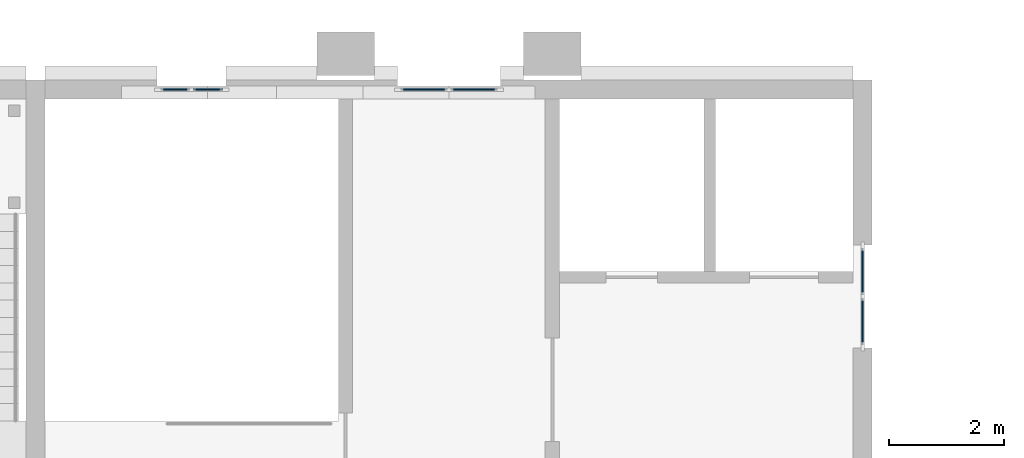
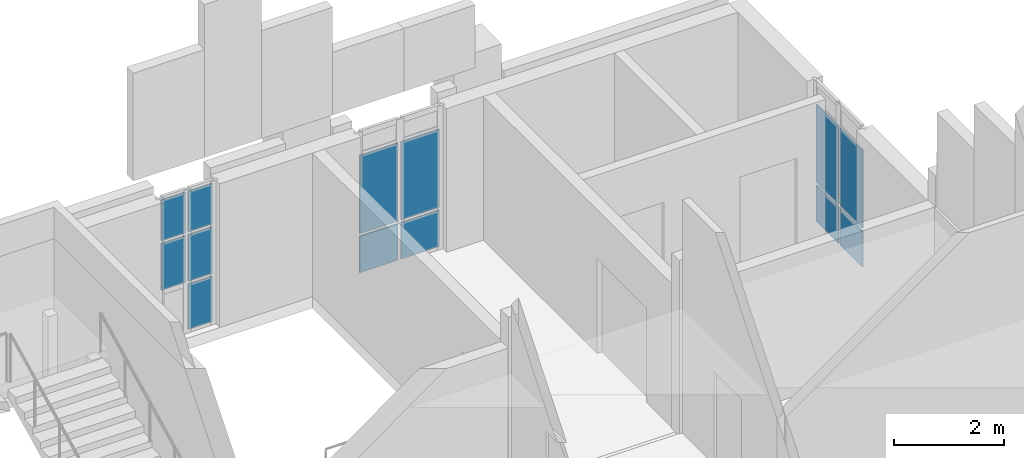
# One storey, part 22 of 51: 13 plates, 3 elements without a shape of their own.
"""IFC4 building model written with IfcOpenShell, lengths in metres."""

from ifc_helpers import new_model, si_unit, direction, frame, origin, origin_2d, place, context, subcontext, project, spatial, rectangle, extrude, material, layer, layer_set, type_object, element, aggregate, save


model = new_model("IFC4")

# Units and contexts
model_context = context("Model", 3, precision=1e-05, world=origin(), true_north=direction((0.0, 1.0)))
body_context = subcontext(model_context, "Body", "Model", "MODEL_VIEW")
ifc_project = project(units=[si_unit("LENGTHUNIT", "METRE"), si_unit("AREAUNIT", "SQUARE_METRE"), si_unit("VOLUMEUNIT", "CUBIC_METRE"), si_unit("PLANEANGLEUNIT", "RADIAN"), si_unit("MASSUNIT", "GRAM", prefix="KILO")], contexts=[model_context])

# Site, building, storey
site_placement = place(None, origin())
site = spatial("IfcSite", under=ifc_project, at=site_placement, CompositionType="ELEMENT")
building_placement = place(site_placement, origin())
building = spatial("IfcBuilding", under=site, at=building_placement, Name="Mazhai Court Health Centre", CompositionType="ELEMENT")
storey_placement = place(building_placement, frame((0.0, 0.0, 14.10009765625)))
storey = spatial("IfcBuildingStorey", under=building, at=storey_placement, Name="L03", CompositionType="ELEMENT", Elevation=14.10009765625)

# Curtain wall, plates
ifc_material_1 = material(Name="Teak timber frame, glazed", Category="wood")
ifc_layer_1 = layer(ifc_material_1, 0.10009765625)
ifc_layer_set_1 = layer_set([ifc_layer_1], Name="CURTAIN WALL TIMBER 900")
curtain_wall_type_1 = type_object("IfcCurtainWallType", Name="CURTAIN WALL TIMBER 900", PredefinedType="NOTDEFINED", material=ifc_layer_set_1)
curtain_wall_1_placement = place(storey_placement, origin())
curtain_wall_1 = element("IfcCurtainWall", 1, at=curtain_wall_1_placement, inside=storey, type_object=curtain_wall_type_1, Name="CW-V5-L03-B4", PredefinedType="NOTDEFINED")
ifc_material_2 = material(Name="Glass IGU 28 mm", Category="glass")
ifc_layer_2 = layer(ifc_material_2, 0.028076171875)
ifc_layer_set_2 = layer_set([ifc_layer_2], Name="CW PANEL IGU 28")
plate_type = type_object("IfcPlateType", Name="CW PANEL IGU 28", PredefinedType="CURTAIN_PANEL", material=ifc_layer_set_2)
plate_1_placement = place(storey_placement, frame((35.0, 39.034912109375, 0.059814453125), z_axis=(0.0, 0.0, 1.0), x_axis=(0.0, -1.0, 0.0)))
plate_1 = element("IfcPlate", 2, at=plate_1_placement, type_object=plate_type, Name="CW panel 1.1", PredefinedType="CURTAIN_PANEL", context=body_context, shape_type="SweptSolid", body=[
    extrude(rectangle(XDim=0.81005859375, YDim=0.028076171875, at=origin_2d()), origin(), (0.0, 0.0, 1.0), 0.81005859375),
])
plate_2_placement = place(storey_placement, frame((35.0, 39.034912109375, 0.9296875), z_axis=(0.0, 0.0, 1.0), x_axis=(0.0, -1.0, 0.0)))
plate_2 = element("IfcPlate", 3, at=plate_2_placement, type_object=plate_type, Name="CW panel 1.2", PredefinedType="CURTAIN_PANEL", context=body_context, shape_type="SweptSolid", body=[
    extrude(rectangle(XDim=0.81005859375, YDim=0.028076171875, at=origin_2d()), origin(), (0.0, 0.0, 1.0), 1.739990234375),
])
plate_3_placement = place(storey_placement, frame((35.0, 38.1650390625, 0.059814453125), z_axis=(0.0, 0.0, 1.0), x_axis=(0.0, -1.0, 0.0)))
plate_3 = element("IfcPlate", 4, at=plate_3_placement, type_object=plate_type, Name="CW panel 2.1", PredefinedType="CURTAIN_PANEL", context=body_context, shape_type="SweptSolid", body=[
    extrude(rectangle(XDim=0.81005859375, YDim=0.028076171875, at=origin_2d()), origin(), (0.0, 0.0, 1.0), 0.81005859375),
])
plate_4_placement = place(storey_placement, frame((35.0, 38.1650390625, 0.9296875), z_axis=(0.0, 0.0, 1.0), x_axis=(0.0, -1.0, 0.0)))
plate_4 = element("IfcPlate", 5, at=plate_4_placement, type_object=plate_type, Name="CW panel 2.2", PredefinedType="CURTAIN_PANEL", context=body_context, shape_type="SweptSolid", body=[
    extrude(rectangle(XDim=0.81005859375, YDim=0.028076171875, at=origin_2d()), origin(), (0.0, 0.0, 1.0), 1.739990234375),
])
aggregate(curtain_wall_1, [plate_1, plate_2, plate_3, plate_4])

ifc_material_3 = material(Name="Teak timber frame, glazed", Category="wood")
ifc_layer_3 = layer(ifc_material_3, 0.10009765625)
ifc_layer_set_3 = layer_set([ifc_layer_3], Name="CURTAIN WALL TIMBER 600")
curtain_wall_type_2 = type_object("IfcCurtainWallType", Name="CURTAIN WALL TIMBER 600", PredefinedType="NOTDEFINED", material=ifc_layer_set_3)
curtain_wall_2_placement = place(storey_placement, origin())
curtain_wall_2 = element("IfcCurtainWall", 6, at=curtain_wall_2_placement, inside=storey, type_object=curtain_wall_type_2, Name="CW-V5-L03-ESTAIR0", PredefinedType="NOTDEFINED")
plate_5_placement = place(storey_placement, frame((23.034912109375, 42.199951171875, 1.1298828125), z_axis=(0.0, 0.0, 1.0), x_axis=(1.0, 0.0, 0.0)))
plate_5 = element("IfcPlate", 7, at=plate_5_placement, type_object=plate_type, Name="CW panel 1.2", PredefinedType="CURTAIN_PANEL", context=body_context, shape_type="SweptSolid", body=[
    extrude(rectangle(XDim=0.510009765625, YDim=0.028076171875, at=origin_2d()), origin(), (0.0, 0.0, 1.0), 1.0400390625),
])
plate_6_placement = place(storey_placement, frame((23.034912109375, 42.199951171875, 2.22998046875), z_axis=(0.0, 0.0, 1.0), x_axis=(1.0, 0.0, 0.0)))
plate_6 = element("IfcPlate", 8, at=plate_6_placement, type_object=plate_type, Name="CW panel 1.3", PredefinedType="CURTAIN_PANEL", context=body_context, shape_type="SweptSolid", body=[
    extrude(rectangle(XDim=0.510009765625, YDim=0.028076171875, at=origin_2d()), origin(), (0.0, 0.0, 1.0), 0.909912109375),
])
plate_7_placement = place(storey_placement, frame((23.60498046875, 42.199951171875, 0.06005859375), z_axis=(0.0, 0.0, 1.0), x_axis=(1.0, 0.0, 0.0)))
plate_7 = element("IfcPlate", 9, at=plate_7_placement, type_object=plate_type, Name="CW panel 2.1", PredefinedType="CURTAIN_PANEL", context=body_context, shape_type="SweptSolid", body=[
    extrude(rectangle(XDim=0.510009765625, YDim=0.028076171875, at=origin_2d()), origin(), (0.0, 0.0, 1.0), 1.010009765625),
])
plate_8_placement = place(storey_placement, frame((23.60498046875, 42.199951171875, 1.1298828125), z_axis=(0.0, 0.0, 1.0), x_axis=(1.0, 0.0, 0.0)))
plate_8 = element("IfcPlate", 10, at=plate_8_placement, type_object=plate_type, Name="CW panel 2.2", PredefinedType="CURTAIN_PANEL", context=body_context, shape_type="SweptSolid", body=[
    extrude(rectangle(XDim=0.510009765625, YDim=0.028076171875, at=origin_2d()), origin(), (0.0, 0.0, 1.0), 1.0400390625),
])
plate_9_placement = place(storey_placement, frame((23.60498046875, 42.199951171875, 2.22998046875), z_axis=(0.0, 0.0, 1.0), x_axis=(1.0, 0.0, 0.0)))
plate_9 = element("IfcPlate", 11, at=plate_9_placement, type_object=plate_type, Name="CW panel 2.3", PredefinedType="CURTAIN_PANEL", context=body_context, shape_type="SweptSolid", body=[
    extrude(rectangle(XDim=0.510009765625, YDim=0.028076171875, at=origin_2d()), origin(), (0.0, 0.0, 1.0), 0.909912109375),
])
aggregate(curtain_wall_2, [plate_5, plate_6, plate_7, plate_8, plate_9])

curtain_wall_3_placement = place(storey_placement, origin())
curtain_wall_3 = element("IfcCurtainWall", 12, at=curtain_wall_3_placement, inside=storey, type_object=curtain_wall_type_1, Name="CW-V5-L03-ELIFT1", PredefinedType="NOTDEFINED")
plate_10_placement = place(storey_placement, frame((27.364990234375, 42.199951171875, 0.059814453125), z_axis=(0.0, 0.0, 1.0), x_axis=(1.0, 0.0, 0.0)))
plate_10 = element("IfcPlate", 13, at=plate_10_placement, type_object=plate_type, Name="CW panel 1.1", PredefinedType="CURTAIN_PANEL", context=body_context, shape_type="SweptSolid", body=[
    extrude(rectangle(XDim=0.81005859375, YDim=0.028076171875, at=origin_2d()), origin(), (0.0, 0.0, 1.0), 0.81005859375),
])
plate_11_placement = place(storey_placement, frame((27.364990234375, 42.199951171875, 0.9296875), z_axis=(0.0, 0.0, 1.0), x_axis=(1.0, 0.0, 0.0)))
plate_11 = element("IfcPlate", 14, at=plate_11_placement, type_object=plate_type, Name="CW panel 1.2", PredefinedType="CURTAIN_PANEL", context=body_context, shape_type="SweptSolid", body=[
    extrude(rectangle(XDim=0.81005859375, YDim=0.028076171875, at=origin_2d()), origin(), (0.0, 0.0, 1.0), 1.739990234375),
])
plate_12_placement = place(storey_placement, frame((28.235107421875, 42.199951171875, 0.059814453125), z_axis=(0.0, 0.0, 1.0), x_axis=(1.0, 0.0, 0.0)))
plate_12 = element("IfcPlate", 15, at=plate_12_placement, type_object=plate_type, Name="CW panel 2.1", PredefinedType="CURTAIN_PANEL", context=body_context, shape_type="SweptSolid", body=[
    extrude(rectangle(XDim=0.81005859375, YDim=0.028076171875, at=origin_2d()), origin(), (0.0, 0.0, 1.0), 0.81005859375),
])
plate_13_placement = place(storey_placement, frame((28.235107421875, 42.199951171875, 0.9296875), z_axis=(0.0, 0.0, 1.0), x_axis=(1.0, 0.0, 0.0)))
plate_13 = element("IfcPlate", 16, at=plate_13_placement, type_object=plate_type, Name="CW panel 2.2", PredefinedType="CURTAIN_PANEL", context=body_context, shape_type="SweptSolid", body=[
    extrude(rectangle(XDim=0.81005859375, YDim=0.028076171875, at=origin_2d()), origin(), (0.0, 0.0, 1.0), 1.739990234375),
])
aggregate(curtain_wall_3, [plate_10, plate_11, plate_12, plate_13])

save(model, "model.ifc")
